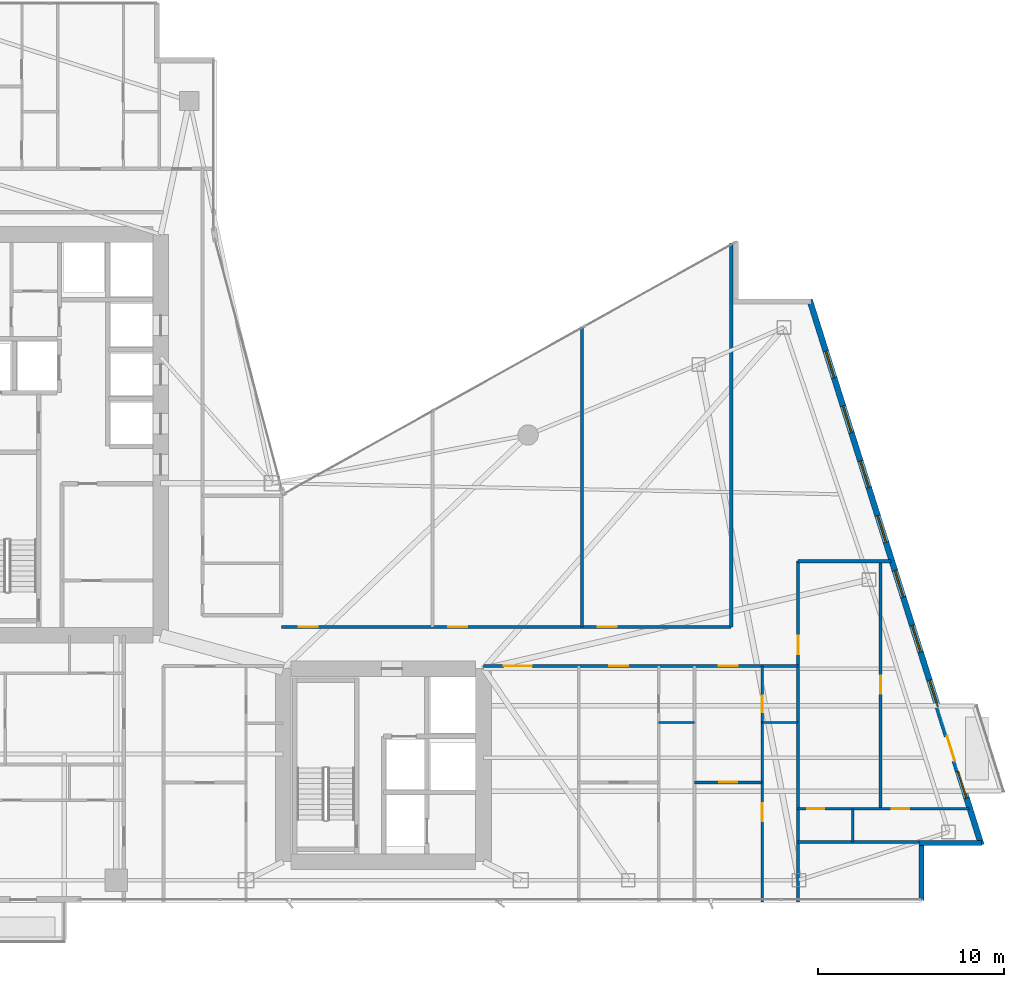
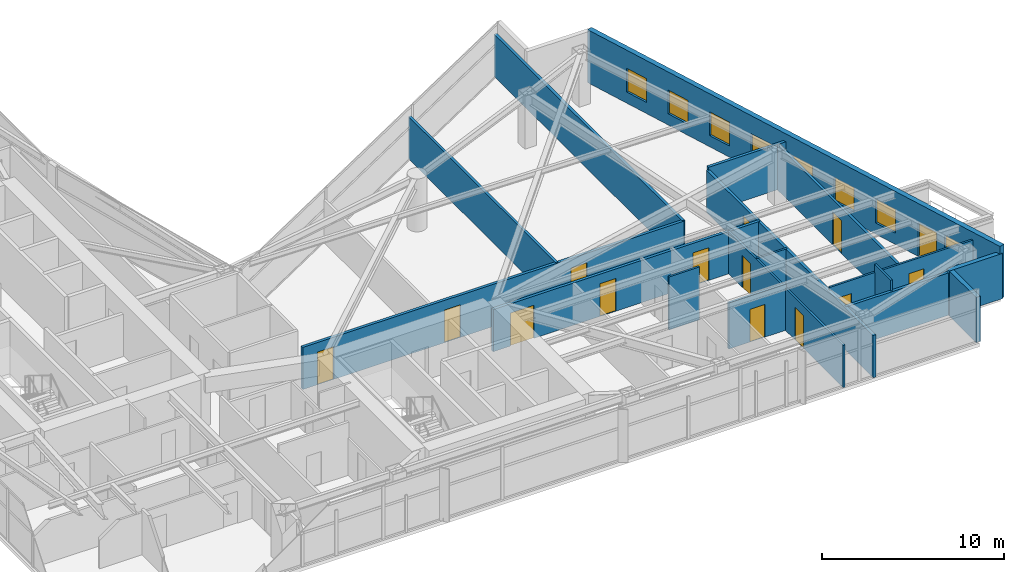
# One storey, part 24 of 29: 17 walls, 14 doors, 8 windows, 22 openings.
"""IFC4 building model written with IfcOpenShell, lengths in metres."""

from ifc_helpers import new_model, si_unit, direction, frame, frame_2d, origin, place, context, subcontext, project, spatial, rectangle, extrude, material, layer, layer_set, type_object, element, fill, save


model = new_model("IFC4")

# Units and contexts
model_context = context("Model", 3, precision=1e-05, world=origin(), true_north=direction((0.0, 1.0)))
body_context = subcontext(model_context, "Body", "Model", "MODEL_VIEW")
ifc_project = project(units=[si_unit("LENGTHUNIT", "METRE"), si_unit("AREAUNIT", "SQUARE_METRE"), si_unit("VOLUMEUNIT", "CUBIC_METRE"), si_unit("PLANEANGLEUNIT", "RADIAN"), si_unit("MASSUNIT", "GRAM", prefix="KILO")], contexts=[model_context])

# Site, building, storey
site_placement = place(None, origin())
site = spatial("IfcSite", under=ifc_project, at=site_placement, CompositionType="ELEMENT")
building_placement = place(site_placement, origin())
building = spatial("IfcBuilding", under=site, at=building_placement, Name="Calvorn Quay Hotel", CompositionType="ELEMENT")
storey_placement = place(building_placement, frame((0.0, 0.0, 120.199951171875)))
storey = spatial("IfcBuildingStorey", under=building, at=storey_placement, Name="L29", CompositionType="ELEMENT", Elevation=120.199951171875)

# Wall, openings, doors
ifc_material_1 = material(Name="Acoustic Fireboard Steel-Stud Partition", Category="steel")
ifc_layer_1 = layer(ifc_material_1, 0.179931640625)
ifc_layer_set_1 = layer_set([ifc_layer_1], Name="WL-CORR-FIRE-180")
wall_type_1 = type_object("IfcWallType", Name="WL-CORR-FIRE-180", PredefinedType="PARTITIONING", material=ifc_layer_set_1)
wall_1_placement = place(storey_placement, frame((32.39990234375, 15.14990234375, 0.0), z_axis=(0.0, 0.0, 1.0), x_axis=(1.0, 0.0, 0.0)))
wall_1 = element("IfcWall", 1, at=wall_1_placement, inside=storey, type_object=wall_type_1, Name="Partition Wall L29-WL-CORR-SE-S", PredefinedType="PARTITIONING", context=body_context, shape_type="SweptSolid", body=[
    extrude(rectangle(XDim=16.9501953125, YDim=0.179931640625, at=frame_2d((8.47509765625, 0.0))), origin(), (0.0, 0.0, 1.0), 2.840087890625),
])
opening_1_placement = place(wall_1_placement, frame((1.10009765625, 0.0, 0.0)))
opening_1 = element("IfcOpeningElement", 2, at=opening_1_placement, cuts=wall_1, Name="Opening D-L29-SEM", PredefinedType="OPENING", context=body_context, shape_type="SweptSolid", body=[
    extrude(rectangle(XDim=1.5, YDim=2.219970703125, at=frame_2d((0.75, 1.10986328125))), frame((0.0, 0.099853515625, 0.0), z_axis=(0.0, -1.0, 0.0), x_axis=(1.0, 0.0, 0.0)), (0.0, 0.0, 1.0), 0.199951171875),
])
opening_2_placement = place(wall_1_placement, frame((6.780029296875, 0.0, 0.0)))
opening_2 = element("IfcOpeningElement", 3, at=opening_2_placement, cuts=wall_1, Name="Opening D-L29-U06", PredefinedType="OPENING", context=body_context, shape_type="SweptSolid", body=[
    extrude(rectangle(XDim=1.02001953125, YDim=2.199951171875, at=frame_2d((0.510009765625, 1.10009765625))), frame((0.0, 0.099853515625, 0.0), z_axis=(0.0, -1.0, 0.0), x_axis=(1.0, 0.0, 0.0)), (0.0, 0.0, 1.0), 0.199951171875),
])
opening_3_placement = place(wall_1_placement, frame((12.68994140625, 0.0, 0.0)))
opening_3 = element("IfcOpeningElement", 4, at=opening_3_placement, cuts=wall_1, Name="Opening D-L29-U07", PredefinedType="OPENING", context=body_context, shape_type="SweptSolid", body=[
    extrude(rectangle(XDim=1.02001953125, YDim=2.199951171875, at=frame_2d((0.510009765625, 1.10009765625))), frame((0.0, 0.099853515625, 0.0), z_axis=(0.0, -1.0, 0.0), x_axis=(1.0, 0.0, 0.0)), (0.0, 0.0, 1.0), 0.199951171875),
])
ifc_material_2 = material(Name="Solid-Core Walnut Veneer Hotel Fire Door")
door_type_1 = type_object("IfcDoorType", Name="DR-GUEST-ENTRY-1020", OperationType="NOTDEFINED", PredefinedType="DOOR", material=ifc_material_2)
door_1_placement = place(opening_2_placement, origin())
door_1 = element("IfcDoor", 5, at=door_1_placement, inside=storey, type_object=door_type_1, Name="South-East Unit Door U06 (L29)", OperationType="SINGLE_SWING_RIGHT", OverallHeight=2.199951171875, OverallWidth=1.02001953125, PredefinedType="DOOR", context=body_context, shape_type="SweptSolid", body=[
    extrude(rectangle(XDim=1.02001953125, YDim=2.199951171875, at=frame_2d((0.510009765625, 1.10009765625))), frame((0.0, 0.02490234375, 0.0), z_axis=(0.0, -1.0, 0.0), x_axis=(1.0, 0.0, 0.0)), (0.0, 0.0, 1.0), 0.050048828125),
])
fill(opening_2, door_1)
door_2_placement = place(opening_3_placement, origin())
door_2 = element("IfcDoor", 6, at=door_2_placement, inside=storey, type_object=door_type_1, Name="South-East Unit Door U07 (L29)", OperationType="SINGLE_SWING_LEFT", OverallHeight=2.199951171875, OverallWidth=1.02001953125, PredefinedType="DOOR", context=body_context, shape_type="SweptSolid", body=[
    extrude(rectangle(XDim=1.02001953125, YDim=2.199951171875, at=frame_2d((0.510009765625, 1.10009765625))), frame((0.0, 0.02490234375, 0.0), z_axis=(0.0, -1.0, 0.0), x_axis=(1.0, 0.0, 0.0)), (0.0, 0.0, 1.0), 0.050048828125),
])
fill(opening_3, door_2)
ifc_material_3 = material(Name="Solid-Core Walnut Double Suite Entry Door")
door_type_2 = type_object("IfcDoorType", Name="DR-SUITE-DBL-1500", OperationType="NOTDEFINED", PredefinedType="DOOR", material=ifc_material_3)
door_3_placement = place(opening_1_placement, origin())
door_3 = element("IfcDoor", 7, at=door_3_placement, inside=storey, type_object=door_type_2, Name="Conference Salon Door (L29)", OperationType="SINGLE_SWING_LEFT", OverallHeight=2.219970703125, OverallWidth=1.5, PredefinedType="DOOR", context=body_context, shape_type="SweptSolid", body=[
    extrude(rectangle(XDim=1.5, YDim=2.219970703125, at=frame_2d((0.75, 1.10986328125))), frame((0.0, 0.02490234375, 0.0), z_axis=(0.0, -1.0, 0.0), x_axis=(1.0, 0.0, 0.0)), (0.0, 0.0, 1.0), 0.050048828125),
])
fill(opening_1, door_3)

wall_2_placement = place(storey_placement, frame((21.5, 17.25, 0.0), z_axis=(0.0, 0.0, 1.0), x_axis=(1.0, 0.0, 0.0)))
wall_2 = element("IfcWall", 8, at=wall_2_placement, inside=storey, type_object=wall_type_1, Name="Partition Wall L29-WL-CORR-NE-N", PredefinedType="PARTITIONING", context=body_context, shape_type="SweptSolid", body=[
    extrude(rectangle(XDim=24.25, YDim=0.179931640625, at=frame_2d((12.125, 0.0))), origin(), (0.0, 0.0, 1.0), 2.840087890625),
])
opening_4_placement = place(wall_2_placement, frame((0.949951171875, 0.0, 0.0)))
opening_4 = element("IfcOpeningElement", 9, at=opening_4_placement, cuts=wall_2, Name="Opening D-L29-NS1", PredefinedType="OPENING", context=body_context, shape_type="SweptSolid", body=[
    extrude(rectangle(XDim=1.02001953125, YDim=2.199951171875, at=frame_2d((0.510009765625, 1.10009765625))), frame((0.0, 0.099853515625, 0.0), z_axis=(0.0, -1.0, 0.0), x_axis=(1.0, 0.0, 0.0)), (0.0, 0.0, 1.0), 0.199951171875),
])
opening_5_placement = place(wall_2_placement, frame((9.0, 0.0, 0.0)))
opening_5 = element("IfcOpeningElement", 10, at=opening_5_placement, cuts=wall_2, Name="Opening D-L29-NS2", PredefinedType="OPENING", context=body_context, shape_type="SweptSolid", body=[
    extrude(rectangle(XDim=1.02001953125, YDim=2.199951171875, at=frame_2d((0.510009765625, 1.10009765625))), frame((0.0, 0.099853515625, 0.0), z_axis=(0.0, -1.0, 0.0), x_axis=(1.0, 0.0, 0.0)), (0.0, 0.0, 1.0), 0.199951171875),
])
opening_6_placement = place(wall_2_placement, frame((17.050048828125, 0.0, 0.0)))
opening_6 = element("IfcOpeningElement", 11, at=opening_6_placement, cuts=wall_2, Name="Opening D-L29-NS3", PredefinedType="OPENING", context=body_context, shape_type="SweptSolid", body=[
    extrude(rectangle(XDim=1.02001953125, YDim=2.199951171875, at=frame_2d((0.510009765625, 1.10009765625))), frame((0.0, 0.099853515625, 0.0), z_axis=(0.0, -1.0, 0.0), x_axis=(1.0, 0.0, 0.0)), (0.0, 0.0, 1.0), 0.199951171875),
])
door_4_placement = place(opening_4_placement, origin())
door_4 = element("IfcDoor", 12, at=door_4_placement, inside=storey, type_object=door_type_1, Name="Conservatory Salon Door 1 (L29)", OperationType="SINGLE_SWING_RIGHT", OverallHeight=2.199951171875, OverallWidth=1.02001953125, PredefinedType="DOOR", context=body_context, shape_type="SweptSolid", body=[
    extrude(rectangle(XDim=1.02001953125, YDim=2.199951171875, at=frame_2d((0.510009765625, 1.10009765625))), frame((0.0, 0.02490234375, 0.0), z_axis=(0.0, -1.0, 0.0), x_axis=(1.0, 0.0, 0.0)), (0.0, 0.0, 1.0), 0.050048828125),
])
fill(opening_4, door_4)
door_5_placement = place(opening_5_placement, origin())
door_5 = element("IfcDoor", 13, at=door_5_placement, inside=storey, type_object=door_type_1, Name="Conservatory Salon Door 2 (L29)", OperationType="SINGLE_SWING_LEFT", OverallHeight=2.199951171875, OverallWidth=1.02001953125, PredefinedType="DOOR", context=body_context, shape_type="SweptSolid", body=[
    extrude(rectangle(XDim=1.02001953125, YDim=2.199951171875, at=frame_2d((0.510009765625, 1.10009765625))), frame((0.0, 0.02490234375, 0.0), z_axis=(0.0, -1.0, 0.0), x_axis=(1.0, 0.0, 0.0)), (0.0, 0.0, 1.0), 0.050048828125),
])
fill(opening_5, door_5)
door_6_placement = place(opening_6_placement, origin())
door_6 = element("IfcDoor", 14, at=door_6_placement, inside=storey, type_object=door_type_1, Name="Conservatory Salon Door 3 (L29)", OperationType="SINGLE_SWING_RIGHT", OverallHeight=2.199951171875, OverallWidth=1.02001953125, PredefinedType="DOOR", context=body_context, shape_type="SweptSolid", body=[
    extrude(rectangle(XDim=1.02001953125, YDim=2.199951171875, at=frame_2d((0.510009765625, 1.10009765625))), frame((0.0, 0.02490234375, 0.0), z_axis=(0.0, -1.0, 0.0), x_axis=(1.0, 0.0, 0.0)), (0.0, 0.0, 1.0), 0.050048828125),
])
fill(opening_6, door_6)

# Walls
wall_3_placement = place(storey_placement, frame((45.75, 17.25, 0.0), z_axis=(0.0, 0.0, 1.0), x_axis=(0.0, 1.0, 0.0)))
element("IfcWall", 15, at=wall_3_placement, inside=storey, type_object=wall_type_1, Name="Partition Wall L29-WL-NE-END-E", PredefinedType="PARTITIONING", context=body_context, shape_type="SweptSolid", body=[
    extrude(rectangle(XDim=20.68994140625, YDim=0.179931640625, at=frame_2d((10.344970703125, 0.0))), origin(), (0.0, 0.0, 1.0), 2.840087890625),
])
wall_4_placement = place(storey_placement, frame((49.35009765625, 5.659912109375, 0.0), z_axis=(0.0, 0.0, 1.0), x_axis=(1.0, 0.0, 0.0)))
element("IfcWall", 16, at=wall_4_placement, inside=storey, type_object=wall_type_1, Name="Partition Wall L29-WL-TIP-S", PredefinedType="PARTITIONING", context=body_context, shape_type="SweptSolid", body=[
    extrude(rectangle(XDim=6.64990234375, YDim=0.179931640625, at=frame_2d((3.324951171875, 0.0))), origin(), (0.0, 0.0, 1.0), 2.840087890625),
])
wall_5_placement = place(storey_placement, frame((49.35009765625, 20.800048828125, 0.0), z_axis=(0.0, 0.0, 1.0), x_axis=(1.0, 0.0, 0.0)))
element("IfcWall", 17, at=wall_5_placement, inside=storey, type_object=wall_type_1, Name="Partition Wall L29-WL-TIP-DIV", PredefinedType="PARTITIONING", context=body_context, shape_type="SweptSolid", body=[
    extrude(rectangle(XDim=5.0, YDim=0.179931640625, at=frame_2d((2.5, 0.0))), origin(), (0.0, 0.0, 1.0), 3.0400390625),
])

# Wall, opening, door
wall_6_placement = place(storey_placement, frame((49.35009765625, 2.43994140625, 0.0), z_axis=(0.0, 0.0, 1.0), x_axis=(0.0, 1.0, 0.0)))
wall_6 = element("IfcWall", 18, at=wall_6_placement, inside=storey, type_object=wall_type_1, Name="Partition Wall L29-WL-CORR-TIP-E1", PredefinedType="PARTITIONING", context=body_context, shape_type="SweptSolid", body=[
    extrude(rectangle(XDim=18.360107421875, YDim=0.179931640625, at=frame_2d((9.18017578125, 0.0))), origin(), (0.0, 0.0, 1.0), 2.840087890625),
])
opening_7_placement = place(wall_6_placement, frame((13.330078125, 0.0, 0.0)))
opening_7 = element("IfcOpeningElement", 19, at=opening_7_placement, cuts=wall_6, Name="Opening D-L29-U08", PredefinedType="OPENING", context=body_context, shape_type="SweptSolid", body=[
    extrude(rectangle(XDim=1.02001953125, YDim=2.199951171875, at=frame_2d((0.510009765625, 1.10009765625))), frame((0.0, 0.099853515625, 0.0), z_axis=(0.0, -1.0, 0.0), x_axis=(1.0, 0.0, 0.0)), (0.0, 0.0, 1.0), 0.199951171875),
])
door_7_placement = place(opening_7_placement, origin())
door_7 = element("IfcDoor", 20, at=door_7_placement, inside=storey, type_object=door_type_1, Name="Terrace Suite Door U08 (L29)", OperationType="SINGLE_SWING_LEFT", OverallHeight=2.199951171875, OverallWidth=1.02001953125, PredefinedType="DOOR", context=body_context, shape_type="SweptSolid", body=[
    extrude(rectangle(XDim=1.02001953125, YDim=2.199951171875, at=frame_2d((0.510009765625, 1.10009765625))), frame((0.0, 0.02490234375, 0.0), z_axis=(0.0, -1.0, 0.0), x_axis=(1.0, 0.0, 0.0)), (0.0, 0.0, 1.0), 0.050048828125),
])
fill(opening_7, door_7)

# Walls
ifc_material_4 = material(Name="Moisture-Resistant Tile-Backed Partition")
ifc_layer_2 = layer(ifc_material_4, 0.125)
ifc_layer_set_2 = layer_set([ifc_layer_2], Name="WL-ENSUITE-125")
wall_type_2 = type_object("IfcWallType", Name="WL-ENSUITE-125", PredefinedType="PARTITIONING", material=ifc_layer_set_2)
wall_7_placement = place(storey_placement, frame((41.840087890625, 12.10009765625, 0.0), z_axis=(0.0, 0.0, 1.0), x_axis=(1.0, 0.0, 0.0)))
element("IfcWall", 21, at=wall_7_placement, inside=storey, type_object=wall_type_2, Name="Partition Wall L29-WL-U06-BDV", PredefinedType="PARTITIONING", context=body_context, shape_type="SweptSolid", body=[
    extrude(rectangle(XDim=1.929931640625, YDim=0.125, at=frame_2d((0.96484375, 0.0))), origin(), (0.0, 0.0, 1.0), 3.56005859375),
])
wall_8_placement = place(storey_placement, frame((47.419921875, 12.10009765625, 0.0), z_axis=(0.0, 0.0, 1.0), x_axis=(1.0, 0.0, 0.0)))
element("IfcWall", 22, at=wall_8_placement, inside=storey, type_object=wall_type_2, Name="Partition Wall L29-WL-U07-BDV", PredefinedType="PARTITIONING", context=body_context, shape_type="SweptSolid", body=[
    extrude(rectangle(XDim=1.93017578125, YDim=0.125, at=frame_2d((0.965087890625, 0.0))), origin(), (0.0, 0.0, 1.0), 2.840087890625),
])

# Wall, openings, doors
wall_9_placement = place(storey_placement, frame((47.419921875, 2.43994140625, 0.0), z_axis=(0.0, 0.0, 1.0), x_axis=(0.0, 1.0, 0.0)))
wall_9 = element("IfcWall", 23, at=wall_9_placement, inside=storey, type_object=wall_type_2, Name="Partition Wall L29-WL-U07-BV", PredefinedType="PARTITIONING", context=body_context, shape_type="SweptSolid", body=[
    extrude(rectangle(XDim=12.7099609375, YDim=0.125, at=frame_2d((6.35498046875, 0.0))), origin(), (0.0, 0.0, 1.0), 2.840087890625),
])
opening_8_placement = place(wall_9_placement, frame((4.35009765625, 0.0, 0.0)))
opening_8 = element("IfcOpeningElement", 24, at=opening_8_placement, cuts=wall_9, Name="Opening D-L29-S07", PredefinedType="OPENING", context=body_context, shape_type="SweptSolid", body=[
    extrude(rectangle(XDim=0.9599609375, YDim=2.199951171875, at=frame_2d((0.47998046875, 1.10009765625))), frame((0.0, 0.072509765625, 0.0), z_axis=(0.0, -1.0, 0.0), x_axis=(1.0, 0.0, 0.0)), (0.0, 0.0, 1.0), 0.14501953125),
])
opening_9_placement = place(wall_9_placement, frame((10.2099609375, 0.0, 0.0)))
opening_9 = element("IfcOpeningElement", 25, at=opening_9_placement, cuts=wall_9, Name="Opening D-L29-E07", PredefinedType="OPENING", context=body_context, shape_type="SweptSolid", body=[
    extrude(rectangle(XDim=0.89990234375, YDim=2.14990234375, at=frame_2d((0.449951171875, 1.074951171875))), frame((0.0, 0.072509765625, 0.0), z_axis=(0.0, -1.0, 0.0), x_axis=(1.0, 0.0, 0.0)), (0.0, 0.0, 1.0), 0.14501953125),
])
ifc_material_5 = material(Name="Moisture-Sealed Timber En-Suite Door", Category="wood")
door_type_3 = type_object("IfcDoorType", Name="DR-ENSUITE-900", OperationType="NOTDEFINED", PredefinedType="DOOR", material=ifc_material_5)
door_8_placement = place(opening_9_placement, origin())
door_8 = element("IfcDoor", 26, at=door_8_placement, inside=storey, type_object=door_type_3, Name="En-Suite Door 07", OperationType="SINGLE_SWING_RIGHT", OverallHeight=2.14990234375, OverallWidth=0.89990234375, PredefinedType="DOOR", context=body_context, shape_type="SweptSolid", body=[
    extrude(rectangle(XDim=0.89990234375, YDim=2.14990234375, at=frame_2d((0.449951171875, 1.074951171875))), frame((0.0, 0.02490234375, 0.0), z_axis=(0.0, -1.0, 0.0), x_axis=(1.0, 0.0, 0.0)), (0.0, 0.0, 1.0), 0.050048828125),
])
fill(opening_9, door_8)
ifc_material_6 = material(Name="Solid Timber Internal Suite Door", Category="wood")
door_type_4 = type_object("IfcDoorType", Name="DR-SUITE-INT-960", OperationType="NOTDEFINED", PredefinedType="DOOR", material=ifc_material_6)
door_9_placement = place(opening_8_placement, origin())
door_9 = element("IfcDoor", 27, at=door_9_placement, inside=storey, type_object=door_type_4, Name="Harbour Tea Room Door 07", OperationType="SINGLE_SWING_LEFT", OverallHeight=2.199951171875, OverallWidth=0.9599609375, PredefinedType="DOOR", context=body_context, shape_type="SweptSolid", body=[
    extrude(rectangle(XDim=0.9599609375, YDim=2.199951171875, at=frame_2d((0.47998046875, 1.10009765625))), frame((0.0, 0.02490234375, 0.0), z_axis=(0.0, -1.0, 0.0), x_axis=(1.0, 0.0, 0.0)), (0.0, 0.0, 1.0), 0.050048828125),
])
fill(opening_8, door_9)

# Wall
wall_10_placement = place(storey_placement, frame((52.300048828125, 5.659912109375, 0.0), z_axis=(0.0, 0.0, 1.0), x_axis=(0.0, 1.0, 0.0)))
element("IfcWall", 28, at=wall_10_placement, inside=storey, type_object=wall_type_2, Name="Partition Wall L29-WL-U08-BDV", PredefinedType="PARTITIONING", context=body_context, shape_type="SweptSolid", body=[
    extrude(rectangle(XDim=1.7900390625, YDim=0.125, at=frame_2d((0.89501953125, 0.0))), origin(), (0.0, 0.0, 1.0), 3.56005859375),
])

# Wall, openings, doors
wall_11_placement = place(storey_placement, frame((49.35009765625, 7.449951171875, 0.0), z_axis=(0.0, 0.0, 1.0), x_axis=(1.0, 0.0, 0.0)))
wall_11 = element("IfcWall", 29, at=wall_11_placement, inside=storey, type_object=wall_type_2, Name="Partition Wall L29-WL-U08-BH", PredefinedType="PARTITIONING", context=body_context, shape_type="SweptSolid", body=[
    extrude(rectangle(XDim=9.2099609375, YDim=0.125, at=frame_2d((4.60498046875, 0.0))), origin(), (0.0, 0.0, 1.0), 3.0400390625),
])
opening_10_placement = place(wall_11_placement, frame((0.5, 0.0, 0.0)))
opening_10 = element("IfcOpeningElement", 30, at=opening_10_placement, cuts=wall_11, Name="Opening D-L29-E08", PredefinedType="OPENING", context=body_context, shape_type="SweptSolid", body=[
    extrude(rectangle(XDim=0.89990234375, YDim=2.14990234375, at=frame_2d((0.449951171875, 1.074951171875))), frame((0.0, 0.072509765625, 0.0), z_axis=(0.0, -1.0, 0.0), x_axis=(1.0, 0.0, 0.0)), (0.0, 0.0, 1.0), 0.14501953125),
])
opening_11_placement = place(wall_11_placement, frame((5.0400390625, 0.0, 0.0)))
opening_11 = element("IfcOpeningElement", 31, at=opening_11_placement, cuts=wall_11, Name="Opening D-L29-S08", PredefinedType="OPENING", context=body_context, shape_type="SweptSolid", body=[
    extrude(rectangle(XDim=0.9599609375, YDim=2.199951171875, at=frame_2d((0.47998046875, 1.10009765625))), frame((0.0, 0.072509765625, 0.0), z_axis=(0.0, -1.0, 0.0), x_axis=(1.0, 0.0, 0.0)), (0.0, 0.0, 1.0), 0.14501953125),
])
door_10_placement = place(opening_10_placement, origin())
door_10 = element("IfcDoor", 32, at=door_10_placement, inside=storey, type_object=door_type_3, Name="En-Suite Door 08", OperationType="SINGLE_SWING_LEFT", OverallHeight=2.14990234375, OverallWidth=0.89990234375, PredefinedType="DOOR", context=body_context, shape_type="SweptSolid", body=[
    extrude(rectangle(XDim=0.89990234375, YDim=2.14990234375, at=frame_2d((0.449951171875, 1.074951171875))), frame((0.0, 0.02490234375, 0.0), z_axis=(0.0, -1.0, 0.0), x_axis=(1.0, 0.0, 0.0)), (0.0, 0.0, 1.0), 0.050048828125),
])
fill(opening_10, door_10)
door_11_placement = place(opening_11_placement, origin())
door_11 = element("IfcDoor", 33, at=door_11_placement, inside=storey, type_object=door_type_4, Name="Harbour Tea Room Door 08", OperationType="SINGLE_SWING_RIGHT", OverallHeight=2.199951171875, OverallWidth=0.9599609375, PredefinedType="DOOR", context=body_context, shape_type="SweptSolid", body=[
    extrude(rectangle(XDim=0.9599609375, YDim=2.199951171875, at=frame_2d((0.47998046875, 1.10009765625))), frame((0.0, 0.02490234375, 0.0), z_axis=(0.0, -1.0, 0.0), x_axis=(1.0, 0.0, 0.0)), (0.0, 0.0, 1.0), 0.050048828125),
])
fill(opening_11, door_11)

# Walls
ifc_material_7 = material(Name="Concrete C40", Category="concrete")
ifc_layer_3 = layer(ifc_material_7, 0.320068359375)
ifc_layer_set_3 = layer_set([ifc_layer_3], Name="WL-EXT-SPANDREL-320")
wall_type_3 = type_object("IfcWallType", Name="WL-EXT-SPANDREL-320", PredefinedType="SOLIDWALL", material=ifc_layer_set_3)
wall_12_placement = place(storey_placement, frame((56.0, 2.52001953125, 0.0), z_axis=(0.0, 0.0, 1.0), x_axis=(0.0, 1.0, 0.0)))
element("IfcWall", 34, at=wall_12_placement, inside=storey, type_object=wall_type_3, Name="Notched Corner Spandrel L29-SE1", PredefinedType="SOLIDWALL", context=body_context, shape_type="SweptSolid", body=[
    extrude(rectangle(XDim=2.93994140625, YDim=0.280029296875, at=frame_2d((1.469970703125, 0.0))), origin(), (0.0, 0.0, 1.0), 3.0400390625),
])
wall_13_placement = place(storey_placement, frame((55.860107421875, 5.60009765625, 0.0), z_axis=(0.0, 0.0, 1.0), x_axis=(1.0, 0.0, 0.0)))
element("IfcWall", 35, at=wall_13_placement, inside=storey, type_object=wall_type_3, Name="Notched Corner Spandrel L29-SE2", PredefinedType="SOLIDWALL", context=body_context, shape_type="SweptSolid", body=[
    extrude(rectangle(XDim=3.3798828125, YDim=0.280029296875, at=frame_2d((1.68994140625, 0.0))), origin(), (0.0, 0.0, 1.0), 3.0400390625),
])

# Wall, openings, door, windows
wall_14_placement = place(storey_placement, frame((59.22998046875, 5.5048828125, 0.0), z_axis=(0.0, 0.0, 1.0), x_axis=(-0.300509063924, 0.953778958931, 0.0)))
wall_14 = element("IfcWall", 36, at=wall_14_placement, inside=storey, type_object=wall_type_3, Name="East Stepped Waterfront Exterior Wall (L29)", PredefinedType="SOLIDWALL", context=body_context, shape_type="SweptSolid", body=[
    extrude(rectangle(XDim=30.814453125, YDim=0.320068359375, at=frame_2d((15.4072265625, 0.0))), origin(), (0.0, 0.0, 1.0), 3.56005859375),
])
opening_12_placement = place(wall_14_placement, frame((4.7470703125, 0.0, 0.0)))
opening_12 = element("IfcOpeningElement", 37, at=opening_12_placement, cuts=wall_14, Name="Opening DB-L29-1", PredefinedType="OPENING", context=body_context, shape_type="SweptSolid", body=[
    extrude(rectangle(XDim=1.39990234375, YDim=2.25, at=frame_2d((0.699951171875, 1.125))), frame((0.0, 0.169921875, 0.0), z_axis=(0.0, -1.0, 0.0), x_axis=(1.0, 0.0, 0.0)), (0.0, 0.0, 1.0), 0.340087890625),
])
opening_13_placement = place(wall_14_placement, frame((2.64990234375, 0.0, 0.75)))
opening_13 = element("IfcOpeningElement", 38, at=opening_13_placement, cuts=wall_14, Name="Opening WG-L29-E1", PredefinedType="OPENING", context=body_context, shape_type="SweptSolid", body=[
    extrude(rectangle(XDim=1.5, YDim=1.60009765625, at=frame_2d((0.75, 0.800048828125))), frame((0.0, 0.169921875, 0.0), z_axis=(0.0, -1.0, 0.0), x_axis=(1.0, 0.0, 0.0)), (0.0, 0.0, 1.0), 0.340087890625),
])
opening_14_placement = place(wall_14_placement, frame((7.800048828125, 0.0, 0.75)))
opening_14 = element("IfcOpeningElement", 39, at=opening_14_placement, cuts=wall_14, Name="Opening WG-L29-E2", PredefinedType="OPENING", context=body_context, shape_type="SweptSolid", body=[
    extrude(rectangle(XDim=1.5, YDim=1.60009765625, at=frame_2d((0.75, 0.800048828125))), frame((0.0, 0.169921875, 0.0), z_axis=(0.0, -1.0, 0.0), x_axis=(1.0, 0.0, 0.0)), (0.0, 0.0, 1.0), 0.340087890625),
])
opening_15_placement = place(wall_14_placement, frame((10.89990234375, 0.0, 0.75)))
opening_15 = element("IfcOpeningElement", 40, at=opening_15_placement, cuts=wall_14, Name="Opening WG-L29-E3", PredefinedType="OPENING", context=body_context, shape_type="SweptSolid", body=[
    extrude(rectangle(XDim=1.5, YDim=1.60009765625, at=frame_2d((0.75, 0.800048828125))), frame((0.0, 0.169921875, 0.0), z_axis=(0.0, -1.0, 0.0), x_axis=(1.0, 0.0, 0.0)), (0.0, 0.0, 1.0), 0.340087890625),
])
opening_16_placement = place(wall_14_placement, frame((14.0, 0.0, 0.75)))
opening_16 = element("IfcOpeningElement", 41, at=opening_16_placement, cuts=wall_14, Name="Opening WG-L29-E4", PredefinedType="OPENING", context=body_context, shape_type="SweptSolid", body=[
    extrude(rectangle(XDim=1.5, YDim=1.60009765625, at=frame_2d((0.75, 0.800048828125))), frame((0.0, 0.169921875, 0.0), z_axis=(0.0, -1.0, 0.0), x_axis=(1.0, 0.0, 0.0)), (0.0, 0.0, 1.0), 0.340087890625),
])
opening_17_placement = place(wall_14_placement, frame((17.10009765625, 0.0, 0.75)))
opening_17 = element("IfcOpeningElement", 42, at=opening_17_placement, cuts=wall_14, Name="Opening WG-L29-E5", PredefinedType="OPENING", context=body_context, shape_type="SweptSolid", body=[
    extrude(rectangle(XDim=1.5, YDim=1.60009765625, at=frame_2d((0.75, 0.800048828125))), frame((0.0, 0.169921875, 0.0), z_axis=(0.0, -1.0, 0.0), x_axis=(1.0, 0.0, 0.0)), (0.0, 0.0, 1.0), 0.340087890625),
])
opening_18_placement = place(wall_14_placement, frame((20.199951171875, 0.0, 0.75)))
opening_18 = element("IfcOpeningElement", 43, at=opening_18_placement, cuts=wall_14, Name="Opening WG-L29-E6", PredefinedType="OPENING", context=body_context, shape_type="SweptSolid", body=[
    extrude(rectangle(XDim=1.5, YDim=1.60009765625, at=frame_2d((0.75, 0.800048828125))), frame((0.0, 0.169921875, 0.0), z_axis=(0.0, -1.0, 0.0), x_axis=(1.0, 0.0, 0.0)), (0.0, 0.0, 1.0), 0.340087890625),
])
opening_19_placement = place(wall_14_placement, frame((23.300048828125, 0.0, 0.75)))
opening_19 = element("IfcOpeningElement", 44, at=opening_19_placement, cuts=wall_14, Name="Opening WG-L29-E7", PredefinedType="OPENING", context=body_context, shape_type="SweptSolid", body=[
    extrude(rectangle(XDim=1.5, YDim=1.60009765625, at=frame_2d((0.75, 0.800048828125))), frame((0.0, 0.169921875, 0.0), z_axis=(0.0, -1.0, 0.0), x_axis=(1.0, 0.0, 0.0)), (0.0, 0.0, 1.0), 0.340087890625),
])
opening_20_placement = place(wall_14_placement, frame((26.39990234375, 0.0, 0.75)))
opening_20 = element("IfcOpeningElement", 45, at=opening_20_placement, cuts=wall_14, Name="Opening WG-L29-E8", PredefinedType="OPENING", context=body_context, shape_type="SweptSolid", body=[
    extrude(rectangle(XDim=1.5, YDim=1.60009765625, at=frame_2d((0.75, 0.800048828125))), frame((0.0, 0.169921875, 0.0), z_axis=(0.0, -1.0, 0.0), x_axis=(1.0, 0.0, 0.0)), (0.0, 0.0, 1.0), 0.340087890625),
])
ifc_material_8 = material(Name="Typhoon-Rated Low-E Aluminium Terrace Door", Category="aluminium")
door_type_5 = type_object("IfcDoorType", Name="DR-BALCONY-GLZ-1400", OperationType="NOTDEFINED", PredefinedType="DOOR", material=ifc_material_8)
door_12_placement = place(opening_12_placement, origin())
door_12 = element("IfcDoor", 46, at=door_12_placement, inside=storey, type_object=door_type_5, Name="Tree Balcony Terrace Door L29-BALC-E", OperationType="SINGLE_SWING_LEFT", OverallHeight=2.25, OverallWidth=1.39990234375, PredefinedType="DOOR", context=body_context, shape_type="SweptSolid", body=[
    extrude(rectangle(XDim=1.39990234375, YDim=2.25, at=frame_2d((0.699951171875, 1.125))), frame((0.0, 0.02490234375, 0.0), z_axis=(0.0, -1.0, 0.0), x_axis=(1.0, 0.0, 0.0)), (0.0, 0.0, 1.0), 0.050048828125),
])
fill(opening_12, door_12)
ifc_material_9 = material(Name="Self-Closing Class B Fire Window")
window_type = type_object("IfcWindowType", Name="WIN-REFUGE-1500x1600", PartitioningType="SINGLE_PANEL", PredefinedType="WINDOW", material=ifc_material_9)
window_1_placement = place(opening_13_placement, origin())
window_1 = element("IfcWindow", 47, at=window_1_placement, inside=storey, type_object=window_type, Name="East Facade Window L29-E1", OverallHeight=1.60009765625, OverallWidth=1.5, PartitioningType="SINGLE_PANEL", PredefinedType="WINDOW", context=body_context, shape_type="SweptSolid", body=[
    extrude(rectangle(XDim=1.5, YDim=1.60009765625, at=frame_2d((0.75, 0.800048828125))), frame((0.0, 0.030029296875, 0.0), z_axis=(0.0, -1.0, 0.0), x_axis=(1.0, 0.0, 0.0)), (0.0, 0.0, 1.0), 0.06005859375),
])
fill(opening_13, window_1)
window_2_placement = place(opening_14_placement, origin())
window_2 = element("IfcWindow", 48, at=window_2_placement, inside=storey, type_object=window_type, Name="East Facade Window L29-E2", OverallHeight=1.60009765625, OverallWidth=1.5, PartitioningType="SINGLE_PANEL", PredefinedType="WINDOW", context=body_context, shape_type="SweptSolid", body=[
    extrude(rectangle(XDim=1.5, YDim=1.60009765625, at=frame_2d((0.75, 0.800048828125))), frame((0.0, 0.030029296875, 0.0), z_axis=(0.0, -1.0, 0.0), x_axis=(1.0, 0.0, 0.0)), (0.0, 0.0, 1.0), 0.06005859375),
])
fill(opening_14, window_2)
window_3_placement = place(opening_15_placement, origin())
window_3 = element("IfcWindow", 49, at=window_3_placement, inside=storey, type_object=window_type, Name="East Facade Window L29-E3", OverallHeight=1.60009765625, OverallWidth=1.5, PartitioningType="SINGLE_PANEL", PredefinedType="WINDOW", context=body_context, shape_type="SweptSolid", body=[
    extrude(rectangle(XDim=1.5, YDim=1.60009765625, at=frame_2d((0.75, 0.800048828125))), frame((0.0, 0.030029296875, 0.0), z_axis=(0.0, -1.0, 0.0), x_axis=(1.0, 0.0, 0.0)), (0.0, 0.0, 1.0), 0.06005859375),
])
fill(opening_15, window_3)
window_4_placement = place(opening_16_placement, origin())
window_4 = element("IfcWindow", 50, at=window_4_placement, inside=storey, type_object=window_type, Name="East Facade Window L29-E4", OverallHeight=1.60009765625, OverallWidth=1.5, PartitioningType="SINGLE_PANEL", PredefinedType="WINDOW", context=body_context, shape_type="SweptSolid", body=[
    extrude(rectangle(XDim=1.5, YDim=1.60009765625, at=frame_2d((0.75, 0.800048828125))), frame((0.0, 0.030029296875, 0.0), z_axis=(0.0, -1.0, 0.0), x_axis=(1.0, 0.0, 0.0)), (0.0, 0.0, 1.0), 0.06005859375),
])
fill(opening_16, window_4)
window_5_placement = place(opening_17_placement, origin())
window_5 = element("IfcWindow", 51, at=window_5_placement, inside=storey, type_object=window_type, Name="East Facade Window L29-E5", OverallHeight=1.60009765625, OverallWidth=1.5, PartitioningType="SINGLE_PANEL", PredefinedType="WINDOW", context=body_context, shape_type="SweptSolid", body=[
    extrude(rectangle(XDim=1.5, YDim=1.60009765625, at=frame_2d((0.75, 0.800048828125))), frame((0.0, 0.030029296875, 0.0), z_axis=(0.0, -1.0, 0.0), x_axis=(1.0, 0.0, 0.0)), (0.0, 0.0, 1.0), 0.06005859375),
])
fill(opening_17, window_5)
window_6_placement = place(opening_18_placement, origin())
window_6 = element("IfcWindow", 52, at=window_6_placement, inside=storey, type_object=window_type, Name="East Facade Window L29-E6", OverallHeight=1.60009765625, OverallWidth=1.5, PartitioningType="SINGLE_PANEL", PredefinedType="WINDOW", context=body_context, shape_type="SweptSolid", body=[
    extrude(rectangle(XDim=1.5, YDim=1.60009765625, at=frame_2d((0.75, 0.800048828125))), frame((0.0, 0.030029296875, 0.0), z_axis=(0.0, -1.0, 0.0), x_axis=(1.0, 0.0, 0.0)), (0.0, 0.0, 1.0), 0.06005859375),
])
fill(opening_18, window_6)
window_7_placement = place(opening_19_placement, origin())
window_7 = element("IfcWindow", 53, at=window_7_placement, inside=storey, type_object=window_type, Name="East Facade Window L29-E7", OverallHeight=1.60009765625, OverallWidth=1.5, PartitioningType="SINGLE_PANEL", PredefinedType="WINDOW", context=body_context, shape_type="SweptSolid", body=[
    extrude(rectangle(XDim=1.5, YDim=1.60009765625, at=frame_2d((0.75, 0.800048828125))), frame((0.0, 0.030029296875, 0.0), z_axis=(0.0, -1.0, 0.0), x_axis=(1.0, 0.0, 0.0)), (0.0, 0.0, 1.0), 0.06005859375),
])
fill(opening_19, window_7)
window_8_placement = place(opening_20_placement, origin())
window_8 = element("IfcWindow", 54, at=window_8_placement, inside=storey, type_object=window_type, Name="East Facade Window L29-E8", OverallHeight=1.60009765625, OverallWidth=1.5, PartitioningType="SINGLE_PANEL", PredefinedType="WINDOW", context=body_context, shape_type="SweptSolid", body=[
    extrude(rectangle(XDim=1.5, YDim=1.60009765625, at=frame_2d((0.75, 0.800048828125))), frame((0.0, 0.030029296875, 0.0), z_axis=(0.0, -1.0, 0.0), x_axis=(1.0, 0.0, 0.0)), (0.0, 0.0, 1.0), 0.06005859375),
])
fill(opening_20, window_8)

# Wall, opening, door
ifc_material_10 = material(Name="Double-Stud Acoustic Gypsum Partition")
ifc_layer_4 = layer(ifc_material_10, 0.159912109375)
ifc_layer_set_4 = layer_set([ifc_layer_4], Name="WL-INTERSUITE-160")
wall_type_4 = type_object("IfcWallType", Name="WL-INTERSUITE-160", PredefinedType="PARTITIONING", material=ifc_layer_set_4)
wall_15_placement = place(storey_placement, frame((43.77001953125, 8.8798828125, 0.0), z_axis=(0.0, 0.0, 1.0), x_axis=(1.0, 0.0, 0.0)))
wall_15 = element("IfcWall", 55, at=wall_15_placement, inside=storey, type_object=wall_type_4, Name="Partition Wall L29-WL-U07-MSP", PredefinedType="PARTITIONING", context=body_context, shape_type="SweptSolid", body=[
    extrude(rectangle(XDim=3.64990234375, YDim=0.159912109375, at=frame_2d((1.824951171875, 0.0))), origin(), (0.0, 0.0, 1.0), 3.090087890625),
])
opening_21_placement = place(wall_15_placement, frame((1.340087890625, 0.0, 0.0)))
opening_21 = element("IfcOpeningElement", 56, at=opening_21_placement, cuts=wall_15, Name="Opening D-L29-M07", PredefinedType="OPENING", context=body_context, shape_type="SweptSolid", body=[
    extrude(rectangle(XDim=0.9599609375, YDim=2.199951171875, at=frame_2d((0.47998046875, 1.10009765625))), frame((0.0, 0.08984375, 0.0), z_axis=(0.0, -1.0, 0.0), x_axis=(1.0, 0.0, 0.0)), (0.0, 0.0, 1.0), 0.179931640625),
])
door_13_placement = place(opening_21_placement, origin())
door_13 = element("IfcDoor", 57, at=door_13_placement, inside=storey, type_object=door_type_4, Name="Suite Bedroom Door 07", OperationType="SINGLE_SWING_LEFT", OverallHeight=2.199951171875, OverallWidth=0.9599609375, PredefinedType="DOOR", context=body_context, shape_type="SweptSolid", body=[
    extrude(rectangle(XDim=0.9599609375, YDim=2.199951171875, at=frame_2d((0.47998046875, 1.10009765625))), frame((0.0, 0.02490234375, 0.0), z_axis=(0.0, -1.0, 0.0), x_axis=(1.0, 0.0, 0.0)), (0.0, 0.0, 1.0), 0.050048828125),
])
fill(opening_21, door_13)

# Wall
wall_16_placement = place(storey_placement, frame((37.699951171875, 17.25, 0.0), z_axis=(0.0, 0.0, 1.0), x_axis=(0.0, 1.0, 0.0)))
element("IfcWall", 58, at=wall_16_placement, inside=storey, type_object=wall_type_4, Name="Partition Wall L29-WL-NE-DIV-2", PredefinedType="PARTITIONING", context=body_context, shape_type="SweptSolid", body=[
    extrude(rectangle(XDim=16.199951171875, YDim=0.159912109375, at=frame_2d((8.10009765625, 0.0))), origin(), (0.0, 0.0, 1.0), 2.840087890625),
])

# Wall, opening, door
wall_17_placement = place(storey_placement, frame((53.800048828125, 7.449951171875, 0.0), z_axis=(0.0, 0.0, 1.0), x_axis=(0.0, 1.0, 0.0)))
wall_17 = element("IfcWall", 59, at=wall_17_placement, inside=storey, type_object=wall_type_4, Name="Partition Wall L29-WL-U08-MSP", PredefinedType="PARTITIONING", context=body_context, shape_type="SweptSolid", body=[
    extrude(rectangle(XDim=13.35009765625, YDim=0.159912109375, at=frame_2d((6.675048828125, 0.0))), origin(), (0.0, 0.0, 1.0), 3.0400390625),
])
opening_22_placement = place(wall_17_placement, frame((6.199951171875, 0.0, 0.0)))
opening_22 = element("IfcOpeningElement", 60, at=opening_22_placement, cuts=wall_17, Name="Opening D-L29-M08", PredefinedType="OPENING", context=body_context, shape_type="SweptSolid", body=[
    extrude(rectangle(XDim=0.9599609375, YDim=2.199951171875, at=frame_2d((0.47998046875, 1.10009765625))), frame((0.0, 0.08984375, 0.0), z_axis=(0.0, -1.0, 0.0), x_axis=(1.0, 0.0, 0.0)), (0.0, 0.0, 1.0), 0.179931640625),
])
door_14_placement = place(opening_22_placement, origin())
door_14 = element("IfcDoor", 61, at=door_14_placement, inside=storey, type_object=door_type_4, Name="Suite Bedroom Door 08", OperationType="SINGLE_SWING_LEFT", OverallHeight=2.199951171875, OverallWidth=0.9599609375, PredefinedType="DOOR", context=body_context, shape_type="SweptSolid", body=[
    extrude(rectangle(XDim=0.9599609375, YDim=2.199951171875, at=frame_2d((0.47998046875, 1.10009765625))), frame((0.0, 0.02490234375, 0.0), z_axis=(0.0, -1.0, 0.0), x_axis=(1.0, 0.0, 0.0)), (0.0, 0.0, 1.0), 0.050048828125),
])
fill(opening_22, door_14)

save(model, "model.ifc")
